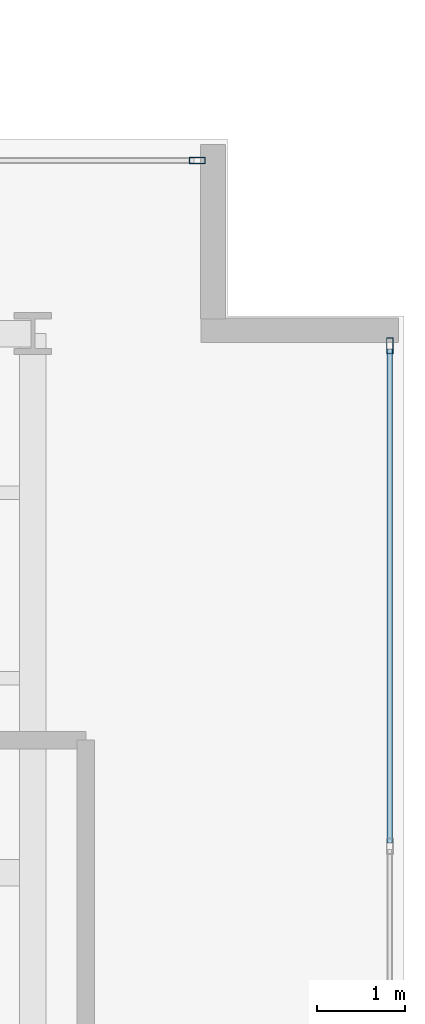
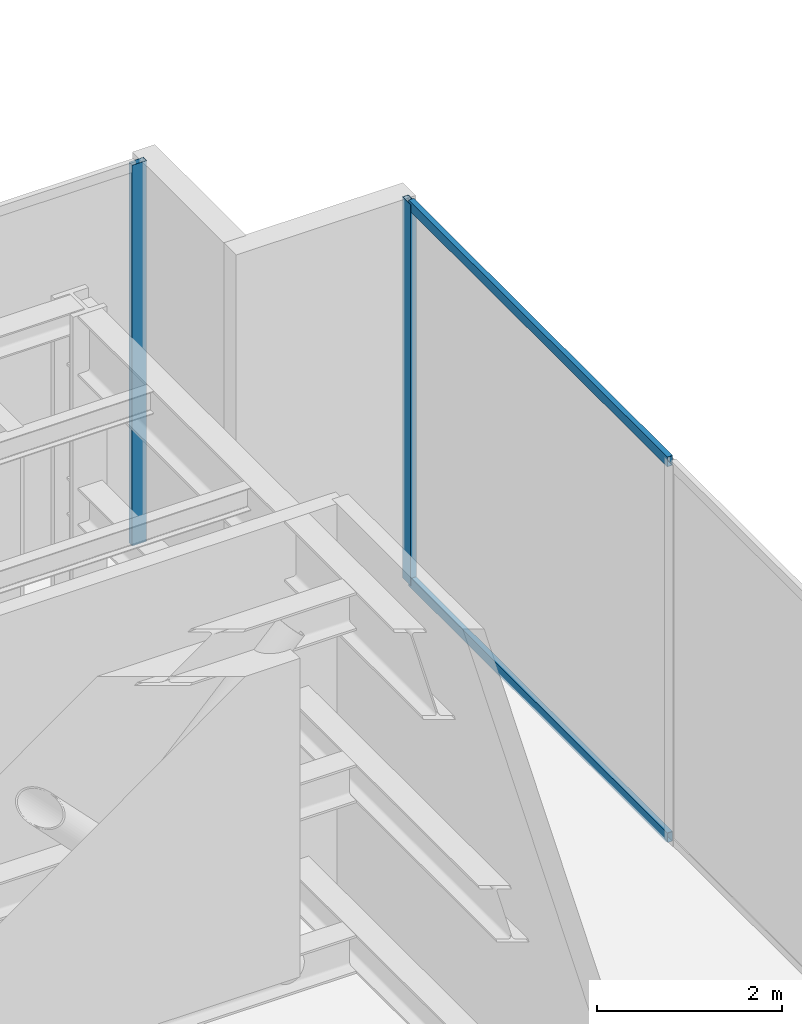
# One storey, part 19 of 29: 4 members, 2 elements without a shape of their own.
"""IFC4 building model written with IfcOpenShell, lengths in metres."""

from ifc_helpers import new_model, si_unit, direction, frame, origin, origin_with_axes, origin_2d, place, context, subcontext, project, spatial, hollow_rectangle, extrude, source, transform, mapped, material, layer, layer_set, material_profile, profile_set, type_object, element, aggregate, save


model = new_model("IFC4")

# Units and contexts
model_context = context("Model", 3, precision=1e-05, world=origin(), true_north=direction((0.0, 1.0)))
body_context = subcontext(model_context, "Body", "Model", "MODEL_VIEW")
ifc_project = project(units=[si_unit("LENGTHUNIT", "METRE"), si_unit("AREAUNIT", "SQUARE_METRE"), si_unit("VOLUMEUNIT", "CUBIC_METRE"), si_unit("PLANEANGLEUNIT", "RADIAN"), si_unit("MASSUNIT", "GRAM", prefix="KILO")], contexts=[model_context])

# Site, building, storey
site_placement = place(None, origin())
site = spatial("IfcSite", under=ifc_project, at=site_placement, CompositionType="ELEMENT")
building_placement = place(site_placement, origin())
building = spatial("IfcBuilding", under=site, at=building_placement, Name="Kolvaren Waterfront Exchange", CompositionType="ELEMENT")
storey_placement = place(building_placement, frame((0.0, 0.0, 338.800048828125)))
storey = spatial("IfcBuildingStorey", under=building, at=storey_placement, Name="L87", CompositionType="ELEMENT", Elevation=338.800048828125)

# Curtain wall, member
ifc_material_1 = material(Name="Anodised dark bronze spandrel aluminium", Category="aluminium")
ifc_layer = layer(ifc_material_1, 0.219970703125, Name="Anodised dark bronze spandrel aluminium")
ifc_layer_set = layer_set([ifc_layer], Name="Anodised dark bronze spandrel aluminium")
curtain_wall_type = type_object("IfcCurtainWallType", Name="ARC-CW-SYS6", PredefinedType="USERDEFINED", material=ifc_layer_set)
curtain_wall_1_placement = place(storey_placement, origin())
curtain_wall_1 = element("IfcCurtainWall", 1, at=curtain_wall_1_placement, inside=storey, type_object=curtain_wall_type, Name="L87 stick curtain wall CW6 (CW-L87-EN)", ObjectType="STICK CURTAIN WALL", PredefinedType="USERDEFINED")
ifc_material_2 = material(Name="Anodised bronze aluminium 6063-T6", Category="aluminium")
ifc_material_profile_1 = material_profile(ifc_material_2, hollow_rectangle(XDim=0.074951171875, YDim=0.179931640625, WallThickness=0.00439453125, at=origin_2d()), Name="ALU-MUL-180x75x4.5")
ifc_profile_set_1 = profile_set([ifc_material_profile_1], Name="Anodised bronze aluminium 6063-T6")
member_type_1 = type_object("IfcMemberType", Name="ARC-CWM-180", PredefinedType="MULLION", material=ifc_profile_set_1)
shared_shape_1 = source(origin_with_axes(), body_context, "Body", "SweptSolid", [
    extrude(hollow_rectangle(XDim=0.074951171875, YDim=0.179931640625, WallThickness=0.00439453125, at=origin_2d()), origin(), (0.0, 0.0, 1.0), 5.02001953125),
])
member_1_placement = place(storey_placement, frame((47.46240234375, 19.360107421875, 0.0), z_axis=(0.0, 0.0, 1.0), x_axis=(0.0, 1.0, 0.0)))
member_1 = element("IfcMember", 2, at=member_1_placement, type_object=member_type_1, Name="CW6 mullion 4", PredefinedType="MULLION", context=body_context, shape_type="MappedRepresentation", body=[
    mapped(shared_shape_1, transform((0.0, 0.0, 0.0), x_axis=(1.0, 0.0, 0.0), y_axis=(0.0, 1.0, 0.0), z_axis=(0.0, 0.0, 1.0), scale=1.0)),
])
aggregate(curtain_wall_1, [member_1])

# Curtain wall, members
curtain_wall_2_placement = place(storey_placement, origin())
curtain_wall_2 = element("IfcCurtainWall", 3, at=curtain_wall_2_placement, inside=storey, type_object=curtain_wall_type, Name="L87 stick curtain wall CW6 (CW-L87-ET)", ObjectType="STICK CURTAIN WALL", PredefinedType="USERDEFINED")
member_2_placement = place(storey_placement, frame((49.639892578125, 17.262451171875, 0.0), z_axis=(0.0, 0.0, 1.0), x_axis=(-1.0, 0.0, 0.0)))
member_2 = element("IfcMember", 4, at=member_2_placement, type_object=member_type_1, Name="CW6 mullion 3", PredefinedType="MULLION", context=body_context, shape_type="MappedRepresentation", body=[
    mapped(shared_shape_1, transform((0.0, 0.0, 0.0), x_axis=(1.0, 0.0, 0.0), y_axis=(0.0, 1.0, 0.0), z_axis=(0.0, 0.0, 1.0), scale=1.0)),
])
ifc_material_profile_2 = material_profile(ifc_material_2, hollow_rectangle(XDim=0.06494140625, YDim=0.1298828125, WallThickness=0.00390625, at=origin_2d()), Name="ALU-TRN-130x65x4")
ifc_profile_set_2 = profile_set([ifc_material_profile_2], Name="Anodised bronze aluminium 6063-T6")
member_type_2 = type_object("IfcMemberType", Name="ARC-CWT-130", PredefinedType="USERDEFINED", material=ifc_profile_set_2)
shared_shape_2 = source(origin_with_axes(), body_context, "Body", "SweptSolid", [
    extrude(hollow_rectangle(XDim=0.06494140625, YDim=0.1298828125, WallThickness=0.00390625, at=origin_2d()), origin(), (0.0, 0.0, 1.0), 5.587646484375),
])
member_3_placement = place(storey_placement, frame((49.639892578125, 11.637451171875, 0.032470703125), z_axis=(0.0, 1.0, 0.0), x_axis=(-1.0, 0.0, 0.0)))
member_3 = element("IfcMember", 5, at=member_3_placement, type_object=member_type_2, Name="CW6 transom 2.1", ObjectType="TRANSOM", PredefinedType="USERDEFINED", context=body_context, shape_type="MappedRepresentation", body=[
    mapped(shared_shape_2, transform((0.0, 0.0, 0.0), x_axis=(1.0, 0.0, 0.0), y_axis=(0.0, 1.0, 0.0), z_axis=(0.0, 0.0, 1.0), scale=1.0)),
])
member_4_placement = place(storey_placement, frame((49.639892578125, 11.637451171875, 4.987548828125), z_axis=(0.0, 1.0, 0.0), x_axis=(-1.0, 0.0, 0.0)))
member_4 = element("IfcMember", 6, at=member_4_placement, type_object=member_type_2, Name="CW6 transom 2.2", ObjectType="TRANSOM", PredefinedType="USERDEFINED", context=body_context, shape_type="MappedRepresentation", body=[
    mapped(shared_shape_2, transform((0.0, 0.0, 0.0), x_axis=(1.0, 0.0, 0.0), y_axis=(0.0, 1.0, 0.0), z_axis=(0.0, 0.0, 1.0), scale=1.0)),
])
aggregate(curtain_wall_2, [member_2, member_3, member_4])

save(model, "model.ifc")
